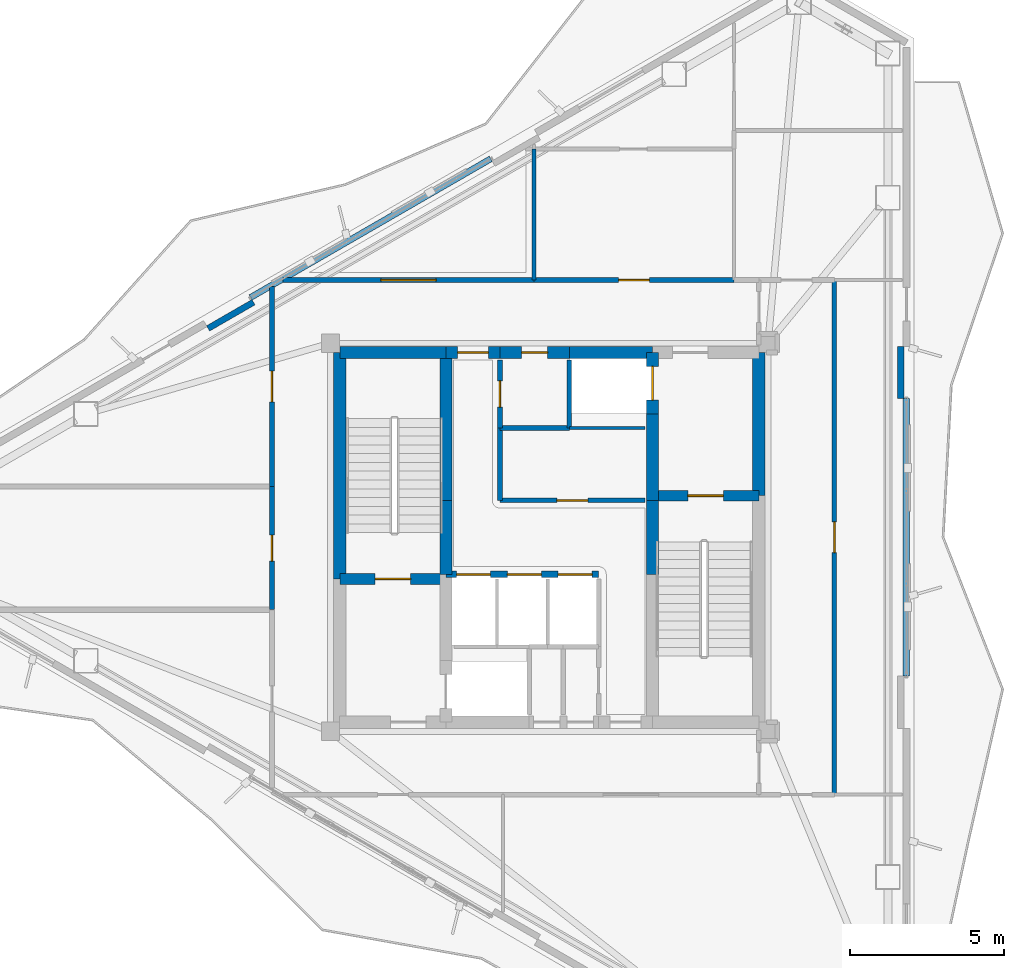
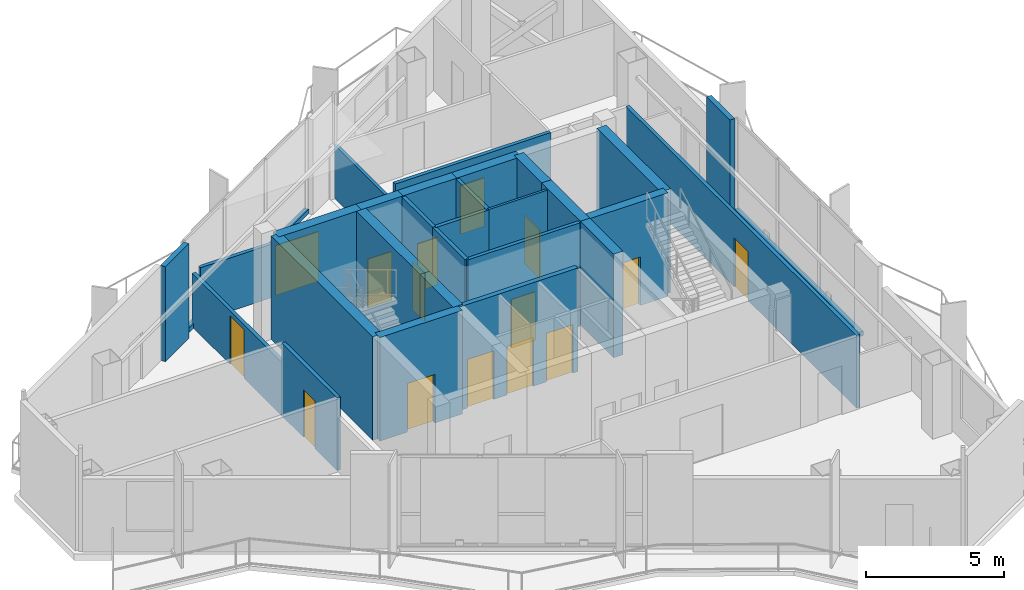
# One storey, part 12 of 15: 30 walls, 15 doors, 15 openings.
"""IFC4 building model written with IfcOpenShell, lengths in metres."""

from ifc_helpers import new_model, si_unit, direction, frame, frame_2d, origin, place, context, subcontext, project, spatial, rectangle, extrude, material, layer, layer_set, type_object, element, fill, save


model = new_model("IFC4")

# Units and contexts
model_context = context("Model", 3, precision=1e-05, world=origin(), true_north=direction((0.0, 1.0)))
body_context = subcontext(model_context, "Body", "Model", "MODEL_VIEW")
ifc_project = project(units=[si_unit("LENGTHUNIT", "METRE"), si_unit("AREAUNIT", "SQUARE_METRE"), si_unit("VOLUMEUNIT", "CUBIC_METRE"), si_unit("PLANEANGLEUNIT", "RADIAN"), si_unit("MASSUNIT", "GRAM", prefix="KILO")], contexts=[model_context])

# Site, building, storey
site_placement = place(None, origin())
site = spatial("IfcSite", under=ifc_project, at=site_placement, CompositionType="ELEMENT")
building_placement = place(site_placement, origin())
building = spatial("IfcBuilding", under=site, at=building_placement, Name="Mersakhor Tower and Convention Hall", CompositionType="ELEMENT")
storey_placement = place(building_placement, frame((0.0, 0.0, 218.39990234375)))
storey = spatial("IfcBuildingStorey", under=building, at=storey_placement, Name="L61", CompositionType="ELEMENT", Elevation=218.39990234375)

# Walls
ifc_material_1 = material(Name="Precast concrete C40/50", Category="concrete")
ifc_layer_1 = layer(ifc_material_1, 0.199951171875)
ifc_layer_set_1 = layer_set([ifc_layer_1], Name="Precast concrete C40/50")
wall_type_1 = type_object("IfcWallType", Name="WL-PAR-200", PredefinedType="PARAPET", material=ifc_layer_set_1)
wall_1_placement = place(storey_placement, frame((19.30908203125, 34.5361328125, 0.0), z_axis=(0.0, 0.0, 1.0), x_axis=(0.866020680503, 0.500008180874, 0.0)))
element("IfcWall", 1, at=wall_1_placement, inside=storey, type_object=wall_type_1, Name="L61 Curtain Wall Upstand Sill F1-B2", PredefinedType="PARAPET", context=body_context, shape_type="SweptSolid", body=[
    extrude(rectangle(XDim=8.998779296875, YDim=0.199951171875, at=frame_2d((4.49951171875, 0.0))), origin(), (0.0, 0.0, 1.0), 0.2001953125),
])
wall_2_placement = place(storey_placement, frame((17.927001953125, 33.5302734375, 0.0), z_axis=(0.0, 0.0, 1.0), x_axis=(0.86605165483, 0.499954529098, 0.0)))
element("IfcWall", 2, at=wall_2_placement, inside=storey, type_object=wall_type_1, Name="L61 Column Pier Cladding Wall F1-C1", PredefinedType="PARAPET", context=body_context, shape_type="SweptSolid", body=[
    extrude(rectangle(XDim=1.699951171875, YDim=0.199951171875, at=frame_2d((0.85009765625, 0.0))), origin(), (0.0, 0.0, 1.0), 4.2001953125),
])
wall_3_placement = place(storey_placement, frame((40.58837890625, 31.24951171875, 0.0), z_axis=(0.0, 0.0, 1.0), x_axis=(0.0, -1.0, 0.0)))
element("IfcWall", 3, at=wall_3_placement, inside=storey, type_object=wall_type_1, Name="L61 Curtain Wall Upstand Sill F2-B2", PredefinedType="PARAPET", context=body_context, shape_type="SweptSolid", body=[
    extrude(rectangle(XDim=8.9990234375, YDim=0.199951171875, at=frame_2d((4.49951171875, 0.0))), origin(), (0.0, 0.0, 1.0), 0.2001953125),
])
wall_4_placement = place(storey_placement, frame((40.408447265625, 32.949462890625, 0.0), z_axis=(0.0, 0.0, 1.0), x_axis=(0.0, -1.0, 0.0)))
element("IfcWall", 4, at=wall_4_placement, inside=storey, type_object=wall_type_1, Name="L61 Column Pier Cladding Wall F2-C1", PredefinedType="PARAPET", context=body_context, shape_type="SweptSolid", body=[
    extrude(rectangle(XDim=1.699951171875, YDim=0.199951171875, at=frame_2d((0.85009765625, 0.0))), origin(), (0.0, 0.0, 1.0), 4.2001953125),
])
ifc_material_2 = material(Name="Lightweight gypsum partition", Category="other")
ifc_layer_2 = layer(ifc_material_2, 0.10009765625)
ifc_layer_set_2 = layer_set([ifc_layer_2], Name="Lightweight gypsum partition")
wall_type_2 = type_object("IfcWallType", Name="WL-PRT-100", PredefinedType="PARTITIONING", material=ifc_layer_set_2)
wall_5_placement = place(storey_placement, frame((32.10009765625, 30.300048828125, 0.0), z_axis=(0.0, 0.0, 1.0), x_axis=(-1.0, 0.0, 0.0)))
element("IfcWall", 5, at=wall_5_placement, inside=storey, type_object=wall_type_2, Name="L61 Interior Partition Wall P-004", PredefinedType="PARTITIONING", context=body_context, shape_type="SweptSolid", body=[
    extrude(rectangle(XDim=2.4501953125, YDim=0.10009765625, at=frame_2d((1.22509765625, 0.0))), origin(), (0.0, 0.0, 1.0), 4.580078125),
])
ifc_material_3 = material(Name="Gypsum board acoustic partition", Category="other")
ifc_layer_3 = layer(ifc_material_3, 0.125)
ifc_layer_set_3 = layer_set([ifc_layer_3], Name="Gypsum board acoustic partition")
wall_type_3 = type_object("IfcWallType", Name="WL-PRT-125", PredefinedType="PARTITIONING", material=ifc_layer_set_3)
wall_6_placement = place(storey_placement, frame((28.5, 39.35009765625, 0.0), z_axis=(0.0, 0.0, 1.0), x_axis=(0.0, -1.0, 0.0)))
element("IfcWall", 6, at=wall_6_placement, inside=storey, type_object=wall_type_3, Name="L61 Interior Partition Wall P-043", PredefinedType="PARTITIONING", context=body_context, shape_type="SweptSolid", body=[
    extrude(rectangle(XDim=4.25, YDim=0.125, at=frame_2d((2.125, 0.0))), origin(), (0.0, 0.0, 1.0), 2.364990234375),
])
ifc_material_4 = material(Name="Fire-rated gypsum board stud partition", Category="other")
ifc_layer_4 = layer(ifc_material_4, 0.14990234375)
ifc_layer_set_4 = layer_set([ifc_layer_4], Name="Fire-rated gypsum board stud partition")
wall_type_4 = type_object("IfcWallType", Name="WL-PRT-150", PredefinedType="PARTITIONING", material=ifc_layer_set_4)
wall_7_placement = place(storey_placement, frame((29.64990234375, 30.300048828125, 0.0), z_axis=(0.0, 0.0, 1.0), x_axis=(0.0, 1.0, 0.0)))
element("IfcWall", 7, at=wall_7_placement, inside=storey, type_object=wall_type_4, Name="L61 Interior Partition Wall P-005", PredefinedType="PARTITIONING", context=body_context, shape_type="SweptSolid", body=[
    extrude(rectangle(XDim=2.199951171875, YDim=0.14990234375, at=frame_2d((1.10009765625, 0.0))), origin(), (0.0, 0.0, 1.0), 4.580078125),
])

# Wall, opening, door
wall_8_placement = place(storey_placement, frame((27.39990234375, 32.5, 0.0), z_axis=(0.0, 0.0, 1.0), x_axis=(0.0, -1.0, 0.0)))
wall_8 = element("IfcWall", 8, at=wall_8_placement, inside=storey, type_object=wall_type_4, Name="L61 Interior Partition Wall P-013", PredefinedType="PARTITIONING", context=body_context, shape_type="SweptSolid", body=[
    extrude(rectangle(XDim=2.199951171875, YDim=0.14990234375, at=frame_2d((1.10009765625, 0.0))), origin(), (0.0, 0.0, 1.0), 4.580078125),
])
opening_1_placement = place(wall_8_placement, frame((0.675048828125, 0.0, 0.0)))
opening_1 = element("IfcOpeningElement", 9, at=opening_1_placement, cuts=wall_8, Name="Opening SVD-01", PredefinedType="OPENING", context=body_context, shape_type="SweptSolid", body=[
    extrude(rectangle(XDim=0.85009765625, YDim=2.10009765625, at=frame_2d((0.425048828125, 1.050048828125))), frame((0.0, 0.0849609375, 0.0), z_axis=(0.0, -1.0, 0.0), x_axis=(1.0, 0.0, 0.0)), (0.0, 0.0, 1.0), 0.169921875),
])
ifc_material_5 = material(Name="Fire-rated hardwood leaf and painted steel frame", Category="steel")
door_type_1 = type_object("IfcDoorType", Name="DR-INT-SVC-085x210", OperationType="NOTDEFINED", PredefinedType="DOOR", material=ifc_material_5)
door_1_placement = place(opening_1_placement, origin())
door_1 = element("IfcDoor", 10, at=door_1_placement, inside=storey, type_object=door_type_1, Name="L61 Central Passenger Lift Lobby to High-Zone Telecoms Room Door", OperationType="SINGLE_SWING_LEFT", OverallHeight=2.10009765625, OverallWidth=0.85009765625, PredefinedType="DOOR", context=body_context, shape_type="SweptSolid", body=[
    extrude(rectangle(XDim=0.85009765625, YDim=2.10009765625, at=frame_2d((0.425048828125, 1.050048828125))), frame((0.0, 0.02490234375, 0.0), z_axis=(0.0, -1.0, 0.0), x_axis=(1.0, 0.0, 0.0)), (0.0, 0.0, 1.0), 0.050048828125),
])
fill(opening_1, door_1)

# Wall
wall_9_placement = place(storey_placement, frame((27.39990234375, 30.300048828125, 0.0), z_axis=(0.0, 0.0, 1.0), x_axis=(0.0, -1.0, 0.0)))
element("IfcWall", 11, at=wall_9_placement, inside=storey, type_object=wall_type_4, Name="L61 Interior Partition Wall P-014", PredefinedType="PARTITIONING", context=body_context, shape_type="SweptSolid", body=[
    extrude(rectangle(XDim=2.35009765625, YDim=0.14990234375, at=frame_2d((1.175048828125, 0.0))), origin(), (0.0, 0.0, 1.0), 4.580078125),
])

# Wall, opening, door
wall_10_placement = place(storey_placement, frame((27.39990234375, 27.949951171875, 0.0), z_axis=(0.0, 0.0, 1.0), x_axis=(1.0, 0.0, 0.0)))
wall_10 = element("IfcWall", 12, at=wall_10_placement, inside=storey, type_object=wall_type_4, Name="L61 Interior Partition Wall P-015", PredefinedType="PARTITIONING", context=body_context, shape_type="SweptSolid", body=[
    extrude(rectangle(XDim=4.7001953125, YDim=0.14990234375, at=frame_2d((2.35009765625, 0.0))), origin(), (0.0, 0.0, 1.0), 4.580078125),
])
opening_2_placement = place(wall_10_placement, frame((1.85009765625, 0.0, 0.0)))
opening_2 = element("IfcOpeningElement", 13, at=opening_2_placement, cuts=wall_10, Name="Opening FD-01", PredefinedType="OPENING", context=body_context, shape_type="SweptSolid", body=[
    extrude(rectangle(XDim=1.0, YDim=2.14990234375, at=frame_2d((0.5, 1.074951171875))), frame((0.0, 0.0849609375, 0.0), z_axis=(0.0, -1.0, 0.0), x_axis=(1.0, 0.0, 0.0)), (0.0, 0.0, 1.0), 0.169921875),
])
ifc_material_6 = material(Name="Fire-rated hardwood leaf and painted steel frame", Category="steel")
door_type_2 = type_object("IfcDoorType", Name="DR-INT-FLT-100x215", OperationType="NOTDEFINED", PredefinedType="DOOR", material=ifc_material_6)
door_2_placement = place(opening_2_placement, origin())
door_2 = element("IfcDoor", 14, at=door_2_placement, inside=storey, type_object=door_type_2, Name="L61 Central Passenger Lift Lobby to Shared Floor Tea Pantry Door", OperationType="SINGLE_SWING_RIGHT", OverallHeight=2.14990234375, OverallWidth=1.0, PredefinedType="DOOR", context=body_context, shape_type="SweptSolid", body=[
    extrude(rectangle(XDim=1.0, YDim=2.14990234375, at=frame_2d((0.5, 1.074951171875))), frame((0.0, 0.02490234375, 0.0), z_axis=(0.0, -1.0, 0.0), x_axis=(1.0, 0.0, 0.0)), (0.0, 0.0, 1.0), 0.050048828125),
])
fill(opening_2, door_2)

wall_11_placement = place(storey_placement, frame((20.3623046875, 35.10009765625, 0.0), z_axis=(0.0, 0.0, 1.0), x_axis=(1.0, 0.0, 0.0)))
wall_11 = element("IfcWall", 15, at=wall_11_placement, inside=storey, type_object=wall_type_4, Name="L61 Interior Partition Wall P-016", PredefinedType="PARTITIONING", context=body_context, shape_type="SweptSolid", body=[
    extrude(rectangle(XDim=8.1376953125, YDim=0.14990234375, at=frame_2d((4.06884765625, 0.0))), origin(), (0.0, 0.0, 1.0), 2.364990234375),
])
opening_3_placement = place(wall_11_placement, frame((3.1689453125, 0.0, 0.0)))
opening_3 = element("IfcOpeningElement", 16, at=opening_3_placement, cuts=wall_11, Name="Opening HD-01", PredefinedType="OPENING", context=body_context, shape_type="SweptSolid", body=[
    extrude(rectangle(XDim=1.800048828125, YDim=2.199951171875, at=frame_2d((0.89990234375, 1.10009765625))), frame((0.0, 0.0849609375, 0.0), z_axis=(0.0, -1.0, 0.0), x_axis=(1.0, 0.0, 0.0)), (0.0, 0.0, 1.0), 0.169921875),
])
ifc_material_7 = material(Name="Fire-rated hardwood leaf and painted steel frame", Category="steel")
door_type_3 = type_object("IfcDoorType", Name="DR-INT-HALL-180x220", OperationType="NOTDEFINED", PredefinedType="DOOR", material=ifc_material_7)
door_3_placement = place(opening_3_placement, origin())
door_3 = element("IfcDoor", 17, at=door_3_placement, inside=storey, type_object=door_type_3, Name="L61 L61 Sky-Lobby Corridor to Upper Zone Residents Music and Games Room Door", OperationType="DOUBLE_DOOR_SINGLE_SWING", OverallHeight=2.199951171875, OverallWidth=1.800048828125, PredefinedType="DOOR", context=body_context, shape_type="SweptSolid", body=[
    extrude(rectangle(XDim=1.800048828125, YDim=2.199951171875, at=frame_2d((0.89990234375, 1.10009765625))), frame((0.0, 0.02490234375, 0.0), z_axis=(0.0, -1.0, 0.0), x_axis=(1.0, 0.0, 0.0)), (0.0, 0.0, 1.0), 0.050048828125),
])
fill(opening_3, door_3)

wall_12_placement = place(storey_placement, frame((28.5, 35.10009765625, 0.0), z_axis=(0.0, 0.0, 1.0), x_axis=(1.0, 0.0, 0.0)))
wall_12 = element("IfcWall", 18, at=wall_12_placement, inside=storey, type_object=wall_type_4, Name="L61 Interior Partition Wall P-017", PredefinedType="PARTITIONING", context=body_context, shape_type="SweptSolid", body=[
    extrude(rectangle(XDim=6.5, YDim=0.14990234375, at=frame_2d((3.25, 0.0))), origin(), (0.0, 0.0, 1.0), 3.215087890625),
])
opening_4_placement = place(wall_12_placement, frame((2.75, 0.0, 0.0)))
opening_4 = element("IfcOpeningElement", 19, at=opening_4_placement, cuts=wall_12, Name="Opening FD-01", PredefinedType="OPENING", context=body_context, shape_type="SweptSolid", body=[
    extrude(rectangle(XDim=1.0, YDim=2.14990234375, at=frame_2d((0.5, 1.074951171875))), frame((0.0, 0.0849609375, 0.0), z_axis=(0.0, -1.0, 0.0), x_axis=(1.0, 0.0, 0.0)), (0.0, 0.0, 1.0), 0.169921875),
])
door_4_placement = place(opening_4_placement, origin())
door_4 = element("IfcDoor", 20, at=door_4_placement, inside=storey, type_object=door_type_2, Name="L61 L61 Sky-Lobby Corridor to Upper Zone Quiet Study Room 1 Door", OperationType="SINGLE_SWING_LEFT", OverallHeight=2.14990234375, OverallWidth=1.0, PredefinedType="DOOR", context=body_context, shape_type="SweptSolid", body=[
    extrude(rectangle(XDim=1.0, YDim=2.14990234375, at=frame_2d((0.5, 1.074951171875))), frame((0.0, 0.02490234375, 0.0), z_axis=(0.0, -1.0, 0.0), x_axis=(1.0, 0.0, 0.0)), (0.0, 0.0, 1.0), 0.050048828125),
])
fill(opening_4, door_4)

wall_13_placement = place(storey_placement, frame((20.0, 24.39990234375, 0.0), z_axis=(0.0, 0.0, 1.0), x_axis=(0.0, 1.0, 0.0)))
wall_13 = element("IfcWall", 21, at=wall_13_placement, inside=storey, type_object=wall_type_4, Name="L61 Interior Partition Wall P-026", PredefinedType="PARTITIONING", context=body_context, shape_type="SweptSolid", body=[
    extrude(rectangle(XDim=4.0, YDim=0.14990234375, at=frame_2d((2.0, 0.0))), origin(), (0.0, 0.0, 1.0), 3.215087890625),
])
opening_5_placement = place(wall_13_placement, frame((1.574951171875, 0.0, 0.0)))
opening_5 = element("IfcOpeningElement", 22, at=opening_5_placement, cuts=wall_13, Name="Opening SVD-01", PredefinedType="OPENING", context=body_context, shape_type="SweptSolid", body=[
    extrude(rectangle(XDim=0.85009765625, YDim=2.10009765625, at=frame_2d((0.425048828125, 1.050048828125))), frame((0.0, 0.0849609375, 0.0), z_axis=(0.0, -1.0, 0.0), x_axis=(1.0, 0.0, 0.0)), (0.0, 0.0, 1.0), 0.169921875),
])
door_5_placement = place(opening_5_placement, origin())
door_5 = element("IfcDoor", 23, at=door_5_placement, inside=storey, type_object=door_type_1, Name="L61 L61 Sky-Lobby Corridor to Level 61 Accessible Toilet WC Door", OperationType="SINGLE_SWING_RIGHT", OverallHeight=2.10009765625, OverallWidth=0.85009765625, PredefinedType="DOOR", context=body_context, shape_type="SweptSolid", body=[
    extrude(rectangle(XDim=0.85009765625, YDim=2.10009765625, at=frame_2d((0.425048828125, 1.050048828125))), frame((0.0, 0.02490234375, 0.0), z_axis=(0.0, -1.0, 0.0), x_axis=(1.0, 0.0, 0.0)), (0.0, 0.0, 1.0), 0.050048828125),
])
fill(opening_5, door_5)

wall_14_placement = place(storey_placement, frame((20.0, 28.39990234375, 0.0), z_axis=(0.0, 0.0, 1.0), x_axis=(0.0, 1.0, 0.0)))
wall_14 = element("IfcWall", 24, at=wall_14_placement, inside=storey, type_object=wall_type_4, Name="L61 Interior Partition Wall P-027", PredefinedType="PARTITIONING", context=body_context, shape_type="SweptSolid", body=[
    extrude(rectangle(XDim=6.486572265625, YDim=0.14990234375, at=frame_2d((3.2431640625, 0.0))), origin(), (0.0, 0.0, 1.0), 2.364990234375),
])
opening_6_placement = place(wall_14_placement, frame((2.7431640625, 0.0, 0.0)))
opening_6 = element("IfcOpeningElement", 25, at=opening_6_placement, cuts=wall_14, Name="Opening FD-01", PredefinedType="OPENING", context=body_context, shape_type="SweptSolid", body=[
    extrude(rectangle(XDim=1.0, YDim=2.14990234375, at=frame_2d((0.5, 1.074951171875))), frame((0.0, 0.0849609375, 0.0), z_axis=(0.0, -1.0, 0.0), x_axis=(1.0, 0.0, 0.0)), (0.0, 0.0, 1.0), 0.169921875),
])
door_6_placement = place(opening_6_placement, origin())
door_6 = element("IfcDoor", 26, at=door_6_placement, inside=storey, type_object=door_type_2, Name="L61 L61 Sky-Lobby Corridor to Sunset Reading Lounge Door", OperationType="SINGLE_SWING_RIGHT", OverallHeight=2.14990234375, OverallWidth=1.0, PredefinedType="DOOR", context=body_context, shape_type="SweptSolid", body=[
    extrude(rectangle(XDim=1.0, YDim=2.14990234375, at=frame_2d((0.5, 1.074951171875))), frame((0.0, 0.02490234375, 0.0), z_axis=(0.0, -1.0, 0.0), x_axis=(1.0, 0.0, 0.0)), (0.0, 0.0, 1.0), 0.050048828125),
])
fill(opening_6, door_6)

wall_15_placement = place(storey_placement, frame((38.25, 35.10009765625, 0.0), z_axis=(0.0, 0.0, 1.0), x_axis=(0.0, -1.0, 0.0)))
wall_15 = element("IfcWall", 27, at=wall_15_placement, inside=storey, type_object=wall_type_4, Name="L61 Interior Partition Wall P-031", PredefinedType="PARTITIONING", context=body_context, shape_type="SweptSolid", body=[
    extrude(rectangle(XDim=16.7001953125, YDim=0.14990234375, at=frame_2d((8.35009765625, 0.0))), origin(), (0.0, 0.0, 1.0), 3.215087890625),
])
opening_7_placement = place(wall_15_placement, frame((7.85009765625, 0.0, 0.0)))
opening_7 = element("IfcOpeningElement", 28, at=opening_7_placement, cuts=wall_15, Name="Opening FD-01", PredefinedType="OPENING", context=body_context, shape_type="SweptSolid", body=[
    extrude(rectangle(XDim=1.0, YDim=2.14990234375, at=frame_2d((0.5, 1.074951171875))), frame((0.0, 0.0849609375, 0.0), z_axis=(0.0, -1.0, 0.0), x_axis=(1.0, 0.0, 0.0)), (0.0, 0.0, 1.0), 0.169921875),
])
door_7_placement = place(opening_7_placement, origin())
door_7 = element("IfcDoor", 29, at=door_7_placement, inside=storey, type_object=door_type_2, Name="L61 L61 Sky-Lobby East Corridor to East Gulf Observation Lounge Door", OperationType="SINGLE_SWING_RIGHT", OverallHeight=2.14990234375, OverallWidth=1.0, PredefinedType="DOOR", context=body_context, shape_type="SweptSolid", body=[
    extrude(rectangle(XDim=1.0, YDim=2.14990234375, at=frame_2d((0.5, 1.074951171875))), frame((0.0, 0.02490234375, 0.0), z_axis=(0.0, -1.0, 0.0), x_axis=(1.0, 0.0, 0.0)), (0.0, 0.0, 1.0), 0.050048828125),
])
fill(opening_7, door_7)

# Wall
wall_16_placement = place(storey_placement, frame((27.39990234375, 30.300048828125, 0.0), z_axis=(0.0, 0.0, 1.0), x_axis=(1.0, 0.0, 0.0)))
element("IfcWall", 30, at=wall_16_placement, inside=storey, type_object=wall_type_4, Name="L61 Interior Partition Wall P-040", PredefinedType="PARTITIONING", context=body_context, shape_type="SweptSolid", body=[
    extrude(rectangle(XDim=2.25, YDim=0.14990234375, at=frame_2d((1.125, 0.0))), origin(), (0.0, 0.0, 1.0), 4.580078125),
])

# Wall, openings, doors
ifc_material_8 = material(Name="Acoustic concrete blockwork and gypsum board", Category="masonry")
ifc_layer_5 = layer(ifc_material_8, 0.199951171875)
ifc_layer_set_5 = layer_set([ifc_layer_5], Name="Acoustic concrete blockwork and gypsum board")
wall_type_5 = type_object("IfcWallType", Name="WL-PRT-200", PredefinedType="PARTITIONING", material=ifc_layer_set_5)
wall_17_placement = place(storey_placement, frame((25.64990234375, 25.550048828125, 0.0), z_axis=(0.0, 0.0, 1.0), x_axis=(1.0, 0.0, 0.0)))
wall_17 = element("IfcWall", 31, at=wall_17_placement, inside=storey, type_object=wall_type_5, Name="L61 High-Rise Lift Bank Front Wall", PredefinedType="PARTITIONING", context=body_context, shape_type="SweptSolid", body=[
    extrude(rectangle(XDim=4.9501953125, YDim=0.199951171875, at=frame_2d((2.47509765625, 0.0))), origin(), (0.0, 0.0, 1.0), 4.580078125),
])
opening_8_placement = place(wall_17_placement, frame((0.340087890625, 0.0, 0.0)))
opening_8 = element("IfcOpeningElement", 32, at=opening_8_placement, cuts=wall_17, Name="Opening LD-P4", PredefinedType="OPENING", context=body_context, shape_type="SweptSolid", body=[
    extrude(rectangle(XDim=1.10009765625, YDim=2.14990234375, at=frame_2d((0.550048828125, 1.074951171875))), frame((0.0, 0.10986328125, 0.0), z_axis=(0.0, -1.0, 0.0), x_axis=(1.0, 0.0, 0.0)), (0.0, 0.0, 1.0), 0.219970703125),
])
opening_9_placement = place(wall_17_placement, frame((1.989990234375, 0.0, 0.0)))
opening_9 = element("IfcOpeningElement", 33, at=opening_9_placement, cuts=wall_17, Name="Opening LD-P5", PredefinedType="OPENING", context=body_context, shape_type="SweptSolid", body=[
    extrude(rectangle(XDim=1.10009765625, YDim=2.14990234375, at=frame_2d((0.550048828125, 1.074951171875))), frame((0.0, 0.10986328125, 0.0), z_axis=(0.0, -1.0, 0.0), x_axis=(1.0, 0.0, 0.0)), (0.0, 0.0, 1.0), 0.219970703125),
])
opening_10_placement = place(wall_17_placement, frame((3.639892578125, 0.0, 0.0)))
opening_10 = element("IfcOpeningElement", 34, at=opening_10_placement, cuts=wall_17, Name="Opening LD-P6", PredefinedType="OPENING", context=body_context, shape_type="SweptSolid", body=[
    extrude(rectangle(XDim=1.10009765625, YDim=2.14990234375, at=frame_2d((0.550048828125, 1.074951171875))), frame((0.0, 0.10986328125, 0.0), z_axis=(0.0, -1.0, 0.0), x_axis=(1.0, 0.0, 0.0)), (0.0, 0.0, 1.0), 0.219970703125),
])
ifc_material_9 = material(Name="Fire-rated brushed stainless steel sliding landing door", Category="steel")
door_type_4 = type_object("IfcDoorType", Name="DR-LIFT-SLD-110x215", OperationType="NOTDEFINED", PredefinedType="DOOR", material=ifc_material_9)
door_8_placement = place(opening_8_placement, origin())
door_8 = element("IfcDoor", 35, at=door_8_placement, inside=storey, type_object=door_type_4, Name="L61 Lift Landing Door LD-P4", OperationType="SLIDING_TO_LEFT", OverallHeight=2.14990234375, OverallWidth=1.10009765625, PredefinedType="DOOR", context=body_context, shape_type="SweptSolid", body=[
    extrude(rectangle(XDim=1.10009765625, YDim=2.14990234375, at=frame_2d((0.550048828125, 1.074951171875))), frame((0.0, 0.02490234375, 0.0), z_axis=(0.0, -1.0, 0.0), x_axis=(1.0, 0.0, 0.0)), (0.0, 0.0, 1.0), 0.050048828125),
])
fill(opening_8, door_8)
door_9_placement = place(opening_9_placement, origin())
door_9 = element("IfcDoor", 36, at=door_9_placement, inside=storey, type_object=door_type_4, Name="L61 Lift Landing Door LD-P5", OperationType="SLIDING_TO_LEFT", OverallHeight=2.14990234375, OverallWidth=1.10009765625, PredefinedType="DOOR", context=body_context, shape_type="SweptSolid", body=[
    extrude(rectangle(XDim=1.10009765625, YDim=2.14990234375, at=frame_2d((0.550048828125, 1.074951171875))), frame((0.0, 0.02490234375, 0.0), z_axis=(0.0, -1.0, 0.0), x_axis=(1.0, 0.0, 0.0)), (0.0, 0.0, 1.0), 0.050048828125),
])
fill(opening_9, door_9)
door_10_placement = place(opening_10_placement, origin())
door_10 = element("IfcDoor", 37, at=door_10_placement, inside=storey, type_object=door_type_4, Name="L61 Lift Landing Door LD-P6", OperationType="SLIDING_TO_LEFT", OverallHeight=2.14990234375, OverallWidth=1.10009765625, PredefinedType="DOOR", context=body_context, shape_type="SweptSolid", body=[
    extrude(rectangle(XDim=1.10009765625, YDim=2.14990234375, at=frame_2d((0.550048828125, 1.074951171875))), frame((0.0, 0.02490234375, 0.0), z_axis=(0.0, -1.0, 0.0), x_axis=(1.0, 0.0, 0.0)), (0.0, 0.0, 1.0), 0.050048828125),
])
fill(opening_10, door_10)

# Wall, opening, door
ifc_material_10 = material(Name="Concrete C50/60", Category="concrete")
ifc_layer_6 = layer(ifc_material_10, 0.35009765625)
ifc_layer_set_6 = layer_set([ifc_layer_6], Name="Concrete C50/60")
wall_type_6 = type_object("IfcWallType", Name="WL-SHR-350", PredefinedType="SHEAR", material=ifc_layer_set_6)
wall_18_placement = place(storey_placement, frame((22.199951171875, 25.39990234375, 0.0), z_axis=(0.0, 0.0, 1.0), x_axis=(1.0, 0.0, 0.0)))
wall_18 = element("IfcWall", 38, at=wall_18_placement, inside=storey, type_object=wall_type_6, Name="L61 Core Wall CS-ST1-S", PredefinedType="SHEAR", context=body_context, shape_type="SweptSolid", body=[
    extrude(rectangle(XDim=3.449951171875, YDim=0.35009765625, at=frame_2d((1.72509765625, 0.0))), origin(), (0.0, 0.0, 1.0), 4.580078125),
])
opening_11_placement = place(wall_18_placement, frame((1.14990234375, 0.0, 0.0)))
opening_11 = element("IfcOpeningElement", 39, at=opening_11_placement, cuts=wall_18, Name="Opening SD-01", PredefinedType="OPENING", context=body_context, shape_type="SweptSolid", body=[
    extrude(rectangle(XDim=1.14990234375, YDim=2.14990234375, at=frame_2d((0.574951171875, 1.074951171875))), frame((0.0, 0.18505859375, 0.0), z_axis=(0.0, -1.0, 0.0), x_axis=(1.0, 0.0, 0.0)), (0.0, 0.0, 1.0), 0.3701171875),
])
ifc_material_11 = material(Name="Fire-rated hardwood leaf and painted steel frame", Category="steel")
door_type_5 = type_object("IfcDoorType", Name="DR-INT-STAIR-115x215", OperationType="NOTDEFINED", PredefinedType="DOOR", material=ifc_material_11)
door_11_placement = place(opening_11_placement, origin())
door_11 = element("IfcDoor", 40, at=door_11_placement, inside=storey, type_object=door_type_5, Name="L61 Exit Stair ST-1 Enclosure Door", OperationType="SINGLE_SWING_LEFT", OverallHeight=2.14990234375, OverallWidth=1.14990234375, PredefinedType="DOOR", context=body_context, shape_type="SweptSolid", body=[
    extrude(rectangle(XDim=1.14990234375, YDim=2.14990234375, at=frame_2d((0.574951171875, 1.074951171875))), frame((0.0, 0.02490234375, 0.0), z_axis=(0.0, -1.0, 0.0), x_axis=(1.0, 0.0, 0.0)), (0.0, 0.0, 1.0), 0.050048828125),
])
fill(opening_11, door_11)

wall_19_placement = place(storey_placement, frame((32.35009765625, 28.10009765625, 0.0), z_axis=(0.0, 0.0, 1.0), x_axis=(1.0, 0.0, 0.0)))
wall_19 = element("IfcWall", 41, at=wall_19_placement, inside=storey, type_object=wall_type_6, Name="L61 Core Wall CS-ST2-N", PredefinedType="SHEAR", context=body_context, shape_type="SweptSolid", body=[
    extrude(rectangle(XDim=3.449951171875, YDim=0.35009765625, at=frame_2d((1.72509765625, 0.0))), origin(), (0.0, 0.0, 1.0), 4.580078125),
])
opening_12_placement = place(wall_19_placement, frame((1.14990234375, 0.0, 0.0)))
opening_12 = element("IfcOpeningElement", 42, at=opening_12_placement, cuts=wall_19, Name="Opening SD-01", PredefinedType="OPENING", context=body_context, shape_type="SweptSolid", body=[
    extrude(rectangle(XDim=1.14990234375, YDim=2.14990234375, at=frame_2d((0.574951171875, 1.074951171875))), frame((0.0, 0.18505859375, 0.0), z_axis=(0.0, -1.0, 0.0), x_axis=(1.0, 0.0, 0.0)), (0.0, 0.0, 1.0), 0.3701171875),
])
door_12_placement = place(opening_12_placement, origin())
door_12 = element("IfcDoor", 43, at=door_12_placement, inside=storey, type_object=door_type_5, Name="L61 Exit Stair ST-2 Enclosure Door", OperationType="SINGLE_SWING_RIGHT", OverallHeight=2.14990234375, OverallWidth=1.14990234375, PredefinedType="DOOR", context=body_context, shape_type="SweptSolid", body=[
    extrude(rectangle(XDim=1.14990234375, YDim=2.14990234375, at=frame_2d((0.574951171875, 1.074951171875))), frame((0.0, 0.02490234375, 0.0), z_axis=(0.0, -1.0, 0.0), x_axis=(1.0, 0.0, 0.0)), (0.0, 0.0, 1.0), 0.050048828125),
])
fill(opening_12, door_12)

# Walls
ifc_material_12 = material(Name="Concrete C60/75", Category="concrete")
ifc_layer_7 = layer(ifc_material_12, 0.39990234375)
ifc_layer_set_7 = layer_set([ifc_layer_7], Name="Concrete C60/75")
wall_type_7 = type_object("IfcWallType", Name="WL-SHR-400", PredefinedType="SHEAR", material=ifc_layer_set_7)
wall_20_placement = place(storey_placement, frame((22.199951171875, 25.39990234375, 0.0), z_axis=(0.0, 0.0, 1.0), x_axis=(0.0, 1.0, 0.0)))
element("IfcWall", 44, at=wall_20_placement, inside=storey, type_object=wall_type_7, Name="L61 Core Wall CW-W2", PredefinedType="SHEAR", context=body_context, shape_type="SweptSolid", body=[
    extrude(rectangle(XDim=7.35009765625, YDim=0.39990234375, at=frame_2d((3.675048828125, 0.0))), origin(), (0.0, 0.0, 1.0), 4.580078125),
])
wall_21_placement = place(storey_placement, frame((22.199951171875, 32.75, 0.0), z_axis=(0.0, 0.0, 1.0), x_axis=(1.0, 0.0, 0.0)))
element("IfcWall", 45, at=wall_21_placement, inside=storey, type_object=wall_type_7, Name="L61 Core Wall CW-N1", PredefinedType="SHEAR", context=body_context, shape_type="SweptSolid", body=[
    extrude(rectangle(XDim=3.449951171875, YDim=0.39990234375, at=frame_2d((1.72509765625, 0.0))), origin(), (0.0, 0.0, 1.0), 4.580078125),
])

# Wall, opening, door
wall_22_placement = place(storey_placement, frame((25.64990234375, 32.75, 0.0), z_axis=(0.0, 0.0, 1.0), x_axis=(1.0, 0.0, 0.0)))
wall_22 = element("IfcWall", 46, at=wall_22_placement, inside=storey, type_object=wall_type_7, Name="L61 Core Wall CW-N2A", PredefinedType="SHEAR", context=body_context, shape_type="SweptSolid", body=[
    extrude(rectangle(XDim=1.75, YDim=0.39990234375, at=frame_2d((0.875, 0.0))), origin(), (0.0, 0.0, 1.0), 4.580078125),
])
opening_13_placement = place(wall_22_placement, frame((0.375, 0.0, 0.0)))
opening_13 = element("IfcOpeningElement", 47, at=opening_13_placement, cuts=wall_22, Name="Opening CFD-01", PredefinedType="OPENING", context=body_context, shape_type="SweptSolid", body=[
    extrude(rectangle(XDim=1.0, YDim=2.14990234375, at=frame_2d((0.5, 1.074951171875))), frame((0.0, 0.2099609375, 0.0), z_axis=(0.0, -1.0, 0.0), x_axis=(1.0, 0.0, 0.0)), (0.0, 0.0, 1.0), 0.419921875),
])
ifc_material_13 = material(Name="Fire-rated hardwood leaf and painted steel frame", Category="steel")
door_type_6 = type_object("IfcDoorType", Name="DR-CORE-FD-100x215", OperationType="NOTDEFINED", PredefinedType="DOOR", material=ifc_material_13)
door_13_placement = place(opening_13_placement, origin())
door_13 = element("IfcDoor", 48, at=door_13_placement, inside=storey, type_object=door_type_6, Name="L61 Lift Lobby North Corridor Door", OperationType="SINGLE_SWING_LEFT", OverallHeight=2.14990234375, OverallWidth=1.0, PredefinedType="DOOR", context=body_context, shape_type="SweptSolid", body=[
    extrude(rectangle(XDim=1.0, YDim=2.14990234375, at=frame_2d((0.5, 1.074951171875))), frame((0.0, 0.02490234375, 0.0), z_axis=(0.0, -1.0, 0.0), x_axis=(1.0, 0.0, 0.0)), (0.0, 0.0, 1.0), 0.050048828125),
])
fill(opening_13, door_13)

wall_23_placement = place(storey_placement, frame((27.39990234375, 32.75, 0.0), z_axis=(0.0, 0.0, 1.0), x_axis=(1.0, 0.0, 0.0)))
wall_23 = element("IfcWall", 49, at=wall_23_placement, inside=storey, type_object=wall_type_7, Name="L61 Core Wall CW-N2B", PredefinedType="SHEAR", context=body_context, shape_type="SweptSolid", body=[
    extrude(rectangle(XDim=2.25, YDim=0.39990234375, at=frame_2d((1.125, 0.0))), origin(), (0.0, 0.0, 1.0), 4.580078125),
])
opening_14_placement = place(wall_23_placement, frame((0.699951171875, 0.0, 0.0)))
opening_14 = element("IfcOpeningElement", 50, at=opening_14_placement, cuts=wall_23, Name="Opening SVD-01", PredefinedType="OPENING", context=body_context, shape_type="SweptSolid", body=[
    extrude(rectangle(XDim=0.85009765625, YDim=2.10009765625, at=frame_2d((0.425048828125, 1.050048828125))), frame((0.0, 0.2099609375, 0.0), z_axis=(0.0, -1.0, 0.0), x_axis=(1.0, 0.0, 0.0)), (0.0, 0.0, 1.0), 0.419921875),
])
door_14_placement = place(opening_14_placement, origin())
door_14 = element("IfcDoor", 51, at=door_14_placement, inside=storey, type_object=door_type_1, Name="L61 L61 Sky-Lobby Corridor to High-Zone Telecoms Room Door", OperationType="SINGLE_SWING_LEFT", OverallHeight=2.10009765625, OverallWidth=0.85009765625, PredefinedType="DOOR", context=body_context, shape_type="SweptSolid", body=[
    extrude(rectangle(XDim=0.85009765625, YDim=2.10009765625, at=frame_2d((0.425048828125, 1.050048828125))), frame((0.0, 0.02490234375, 0.0), z_axis=(0.0, -1.0, 0.0), x_axis=(1.0, 0.0, 0.0)), (0.0, 0.0, 1.0), 0.050048828125),
])
fill(opening_14, door_14)

# Walls
wall_24_placement = place(storey_placement, frame((29.64990234375, 32.75, 0.0), z_axis=(0.0, 0.0, 1.0), x_axis=(1.0, 0.0, 0.0)))
element("IfcWall", 52, at=wall_24_placement, inside=storey, type_object=wall_type_7, Name="L61 Core Wall CW-N3", PredefinedType="SHEAR", context=body_context, shape_type="SweptSolid", body=[
    extrude(rectangle(XDim=2.7001953125, YDim=0.39990234375, at=frame_2d((1.35009765625, 0.0))), origin(), (0.0, 0.0, 1.0), 4.580078125),
])
wall_25_placement = place(storey_placement, frame((35.800048828125, 32.75, 0.0), z_axis=(0.0, 0.0, 1.0), x_axis=(0.0, -1.0, 0.0)))
element("IfcWall", 53, at=wall_25_placement, inside=storey, type_object=wall_type_7, Name="L61 Core Wall CW-E1", PredefinedType="SHEAR", context=body_context, shape_type="SweptSolid", body=[
    extrude(rectangle(XDim=4.64990234375, YDim=0.39990234375, at=frame_2d((2.324951171875, 0.0))), origin(), (0.0, 0.0, 1.0), 4.580078125),
])
wall_26_placement = place(storey_placement, frame((25.64990234375, 25.550048828125, 0.0), z_axis=(0.0, 0.0, 1.0), x_axis=(0.0, 1.0, 0.0)))
element("IfcWall", 54, at=wall_26_placement, inside=storey, type_object=wall_type_7, Name="L61 Core Wall CS-W-LOB", PredefinedType="SHEAR", context=body_context, shape_type="SweptSolid", body=[
    extrude(rectangle(XDim=2.39990234375, YDim=0.39990234375, at=frame_2d((1.199951171875, 0.0))), origin(), (0.0, 0.0, 1.0), 4.580078125),
])
wall_27_placement = place(storey_placement, frame((25.64990234375, 27.949951171875, 0.0), z_axis=(0.0, 0.0, 1.0), x_axis=(0.0, 1.0, 0.0)))
element("IfcWall", 55, at=wall_27_placement, inside=storey, type_object=wall_type_7, Name="L61 Core Wall CS-W-ST1", PredefinedType="SHEAR", context=body_context, shape_type="SweptSolid", body=[
    extrude(rectangle(XDim=4.800048828125, YDim=0.39990234375, at=frame_2d((2.39990234375, 0.0))), origin(), (0.0, 0.0, 1.0), 4.580078125),
])
wall_28_placement = place(storey_placement, frame((32.35009765625, 25.550048828125, 0.0), z_axis=(0.0, 0.0, 1.0), x_axis=(0.0, 1.0, 0.0)))
element("IfcWall", 56, at=wall_28_placement, inside=storey, type_object=wall_type_7, Name="L61 Core Wall CS-E-LOB", PredefinedType="SHEAR", context=body_context, shape_type="SweptSolid", body=[
    extrude(rectangle(XDim=2.39990234375, YDim=0.39990234375, at=frame_2d((1.199951171875, 0.0))), origin(), (0.0, 0.0, 1.0), 4.580078125),
])
wall_29_placement = place(storey_placement, frame((32.35009765625, 27.949951171875, 0.0), z_axis=(0.0, 0.0, 1.0), x_axis=(0.0, 1.0, 0.0)))
element("IfcWall", 57, at=wall_29_placement, inside=storey, type_object=wall_type_7, Name="L61 Core Wall CS-E-MID", PredefinedType="SHEAR", context=body_context, shape_type="SweptSolid", body=[
    extrude(rectangle(XDim=2.800048828125, YDim=0.39990234375, at=frame_2d((1.39990234375, 0.0))), origin(), (0.0, 0.0, 1.0), 4.580078125),
])

# Wall, opening, door
wall_30_placement = place(storey_placement, frame((32.35009765625, 30.75, 0.0), z_axis=(0.0, 0.0, 1.0), x_axis=(0.0, 1.0, 0.0)))
wall_30 = element("IfcWall", 58, at=wall_30_placement, inside=storey, type_object=wall_type_7, Name="L61 Core Wall CS-E-FFL", PredefinedType="SHEAR", context=body_context, shape_type="SweptSolid", body=[
    extrude(rectangle(XDim=2.0, YDim=0.39990234375, at=frame_2d((1.0, 0.0))), origin(), (0.0, 0.0, 1.0), 4.580078125),
])
opening_15_placement = place(wall_30_placement, frame((0.449951171875, 0.0, 0.0)))
opening_15 = element("IfcOpeningElement", 59, at=opening_15_placement, cuts=wall_30, Name="Opening LD-FFL2", PredefinedType="OPENING", context=body_context, shape_type="SweptSolid", body=[
    extrude(rectangle(XDim=1.10009765625, YDim=2.14990234375, at=frame_2d((0.550048828125, 1.074951171875))), frame((0.0, 0.2099609375, 0.0), z_axis=(0.0, -1.0, 0.0), x_axis=(1.0, 0.0, 0.0)), (0.0, 0.0, 1.0), 0.419921875),
])
door_15_placement = place(opening_15_placement, origin())
door_15 = element("IfcDoor", 60, at=door_15_placement, inside=storey, type_object=door_type_4, Name="L61 Firefighting Lift Landing Door LD-FFL2", OperationType="SLIDING_TO_LEFT", OverallHeight=2.14990234375, OverallWidth=1.10009765625, PredefinedType="DOOR", context=body_context, shape_type="SweptSolid", body=[
    extrude(rectangle(XDim=1.10009765625, YDim=2.14990234375, at=frame_2d((0.550048828125, 1.074951171875))), frame((0.0, 0.02490234375, 0.0), z_axis=(0.0, -1.0, 0.0), x_axis=(1.0, 0.0, 0.0)), (0.0, 0.0, 1.0), 0.050048828125),
])
fill(opening_15, door_15)

save(model, "model.ifc")
